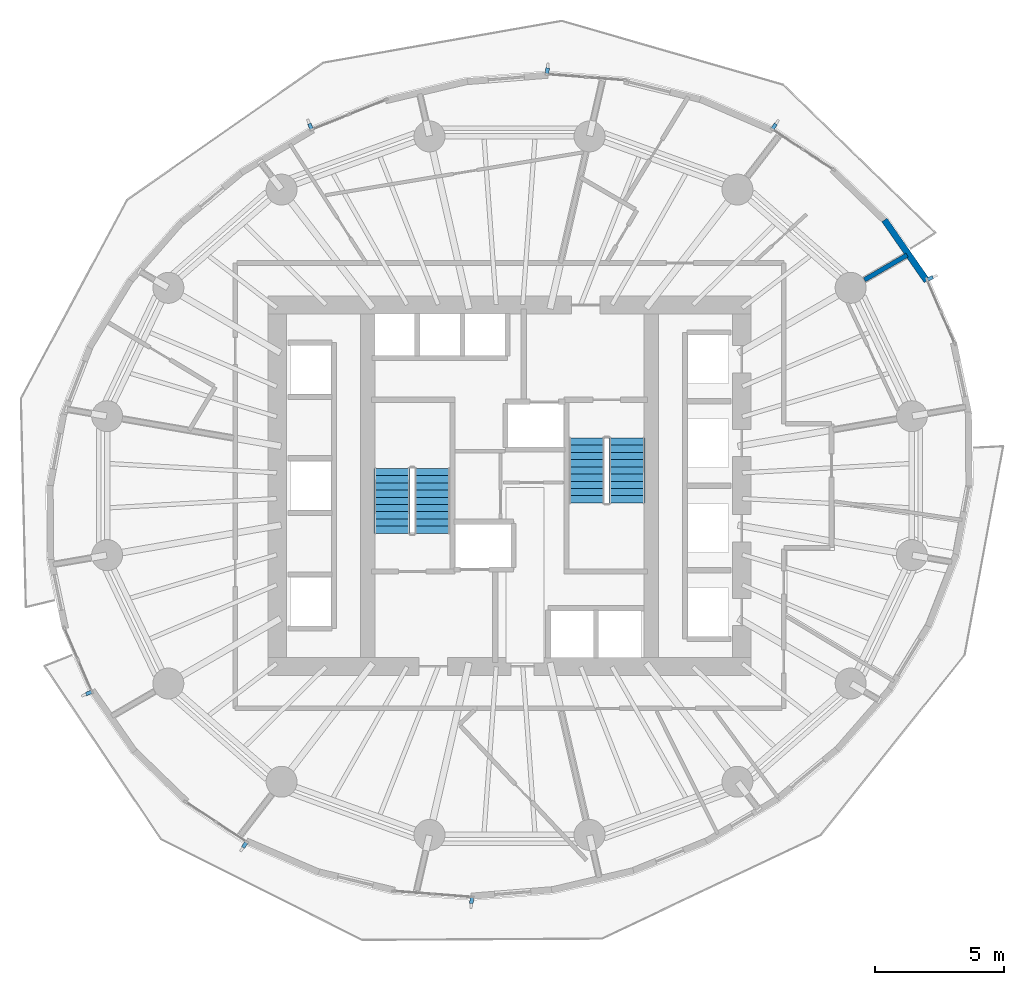
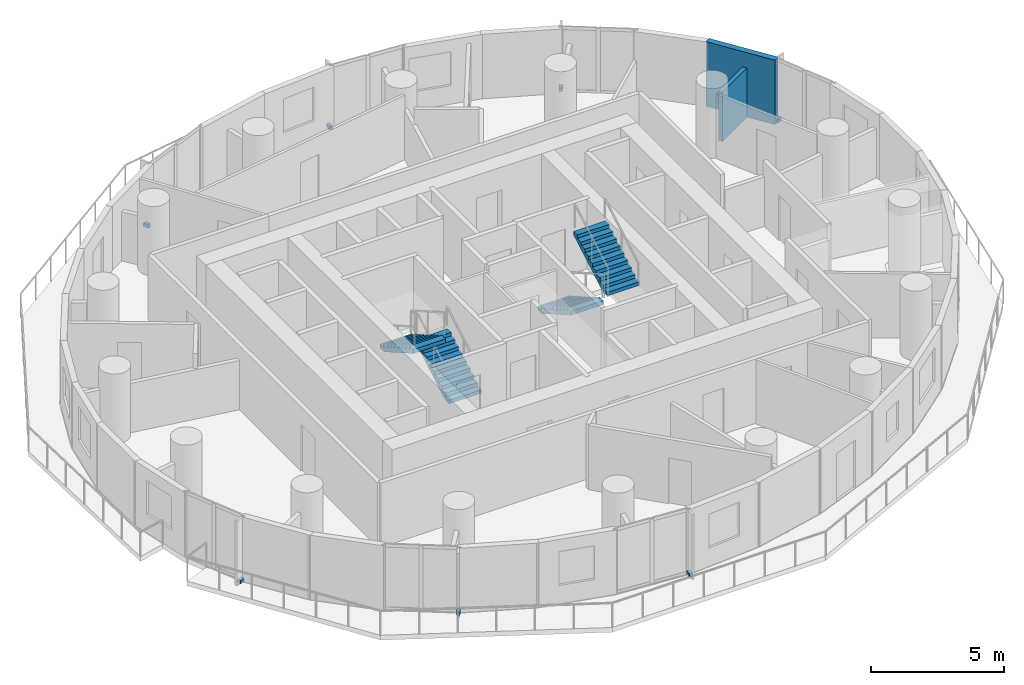
# One storey, part 10 of 14: 7 discrete accessories, 4 stair flights, 2 walls, 2 elements without a shape of their own.
"""IFC4 building model written with IfcOpenShell, lengths in metres."""

from ifc_helpers import new_model, si_unit, direction, frame, frame_2d, origin, origin_2d, place, context, subcontext, project, spatial, polyline, rectangle, outline, extrude, material, layer, layer_set, type_object, element, aggregate, save


model = new_model("IFC4")

# Units and contexts
model_context = context("Model", 3, precision=1e-05, world=origin(), true_north=direction((0.0, 1.0)))
body_context = subcontext(model_context, "Body", "Model", "MODEL_VIEW")
ifc_project = project(units=[si_unit("LENGTHUNIT", "METRE"), si_unit("AREAUNIT", "SQUARE_METRE"), si_unit("VOLUMEUNIT", "CUBIC_METRE"), si_unit("PLANEANGLEUNIT", "RADIAN"), si_unit("MASSUNIT", "GRAM", prefix="KILO")], contexts=[model_context])

# Site, building, storey
site_placement = place(None, origin())
site = spatial("IfcSite", under=ifc_project, at=site_placement, CompositionType="ELEMENT")
building_placement = place(site_placement, origin())
building = spatial("IfcBuilding", under=site, at=building_placement, Name="Veldorim Arch Residences", CompositionType="ELEMENT")
storey_placement = place(building_placement, frame((0.0, 0.0, 77.280029296875)))
storey = spatial("IfcBuildingStorey", under=building, at=storey_placement, Name="L22", CompositionType="ELEMENT", Elevation=77.280029296875)

# Walls
ifc_material_1 = material(Name="Lightweight Masonry Block & Gypsum", Category="masonry")
ifc_layer_1 = layer(ifc_material_1, 0.179931640625, Name="Compartment & Corridor Fire-Rated Party Wall 180")
ifc_layer_set_1 = layer_set([ifc_layer_1], Name="Lightweight Masonry Block & Gypsum")
wall_type_1 = type_object("IfcWallType", Name="Compartment & Corridor Fire-Rated Party Wall 180", PredefinedType="PARTITIONING", material=ifc_layer_set_1)
wall_1_placement = place(storey_placement, frame((45.756591796875, 31.977783203125, 0.0), z_axis=(0.0, 0.0, 1.0), x_axis=(0.86503562166, 0.501710447628, 0.0)))
element("IfcWall", 1, at=wall_1_placement, inside=storey, type_object=wall_type_1, Name="L22 interior wall WL-PIER-L22-02", PredefinedType="PARTITIONING", context=body_context, shape_type="SweptSolid", body=[
    extrude(rectangle(XDim=1.912353515625, YDim=0.179931640625, at=frame_2d((0.9560546875, 0.0))), origin(), (0.0, 0.0, 1.0), 2.26025390625),
])
ifc_material_2 = material(Name="Precast concrete C40/50", Category="concrete")
ifc_layer_2 = layer(ifc_material_2, 0.25, Name="Tower Terracotta Spandrel & Pier Wall 250")
ifc_layer_set_2 = layer_set([ifc_layer_2], Name="Precast concrete C40/50")
wall_type_2 = type_object("IfcWallType", Name="Tower Terracotta Spandrel & Pier Wall 250", PredefinedType="SOLIDWALL", material=ifc_layer_set_2)
wall_2_placement = place(storey_placement, frame((46.532470703125, 34.298095703125, 0.0), z_axis=(0.0, 0.0, 1.0), x_axis=(0.570574087236, -0.821246133005, 0.0)))
element("IfcWall", 2, at=wall_2_placement, inside=storey, type_object=wall_type_2, Name="L22 terracotta facade wall 02", PredefinedType="SOLIDWALL", context=body_context, shape_type="SweptSolid", body=[
    extrude(rectangle(XDim=2.8740234375, YDim=0.25, at=frame_2d((1.43701171875, 0.0))), origin(), (0.0, 0.0, 1.0), 2.9599609375),
])

# Stair, stair flights
ifc_material_3 = material(Name="Concrete C40/50", Category="concrete")
stair_type = type_object("IfcStairType", Name="Reinforced Concrete Dogleg Exit Staircase", PredefinedType="HALF_TURN_STAIR", material=ifc_material_3)
stair_1_placement = place(storey_placement, origin())
stair_1 = element("IfcStair", 3, at=stair_1_placement, inside=storey, type_object=stair_type, Name="L22 Exit Staircase ST-1", PredefinedType="HALF_TURN_STAIR")
ifc_material_4 = material(Name="Concrete C40/50", Category="concrete")
stair_flight_type = type_object("IfcStairFlightType", Name="Reinforced Concrete Stair Flight 1400", PredefinedType="STRAIGHT", material=ifc_material_4)
stair_flight_1_placement = place(storey_placement, frame((29.010009765625, 22.14990234375, 0.0), z_axis=(0.0, 0.0, 1.0), x_axis=(0.0, 1.0, 0.0)))
stair_flight_1 = element("IfcStairFlight", 4, at=stair_flight_1_placement, type_object=stair_flight_type, Name="ST-1 flight 1", NumberOfRisers=10, NumberOfTreads=9, PredefinedType="STRAIGHT", RiserHeight=0.16, TreadLength=0.28, context=body_context, shape_type="SweptSolid", body=[
    extrude(outline(polyline([(0.0, 0.0), (0.0, 0.159912109375), (0.280029296875, 0.159912109375), (0.280029296875, 0.320068359375), (0.56005859375, 0.320068359375), (0.56005859375, 0.47998046875), (0.840087890625, 0.47998046875), (0.840087890625, 0.639892578125), (1.1201171875, 0.639892578125), (1.1201171875, 0.800048828125), (1.39990234375, 0.800048828125), (1.39990234375, 0.9599609375), (1.679931640625, 0.9599609375), (1.679931640625, 1.1201171875), (1.9599609375, 1.1201171875), (1.9599609375, 1.280029296875), (2.239990234375, 1.280029296875), (2.239990234375, 1.43994140625), (2.52001953125, 1.43994140625), (2.52001953125, 1.60009765625), (2.52001953125, 1.255859375), (0.322265625, 0.0), (0.0, 0.0)])), frame((0.0, 0.699951171875, 0.0), z_axis=(0.0, -1.0, 0.0), x_axis=(1.0, 0.0, 0.0)), (0.0, 0.0, 1.0), 1.39990234375),
])
stair_flight_2_placement = place(storey_placement, frame((27.449951171875, 24.669921875, 1.599853515625), z_axis=(0.0, 0.0, 1.0), x_axis=(0.0, -1.0, 0.0)))
stair_flight_2 = element("IfcStairFlight", 5, at=stair_flight_2_placement, type_object=stair_flight_type, Name="ST-1 flight 2", NumberOfRisers=10, NumberOfTreads=9, PredefinedType="STRAIGHT", RiserHeight=0.16, TreadLength=0.28, context=body_context, shape_type="SweptSolid", body=[
    extrude(outline(polyline([(0.0, 0.0), (0.0, 0.159912109375), (0.280029296875, 0.159912109375), (0.280029296875, 0.320068359375), (0.56005859375, 0.320068359375), (0.56005859375, 0.47998046875), (0.840087890625, 0.47998046875), (0.840087890625, 0.639892578125), (1.1201171875, 0.639892578125), (1.1201171875, 0.800048828125), (1.39990234375, 0.800048828125), (1.39990234375, 0.9599609375), (1.679931640625, 0.9599609375), (1.679931640625, 1.1201171875), (1.9599609375, 1.1201171875), (1.9599609375, 1.280029296875), (2.239990234375, 1.280029296875), (2.239990234375, 1.43994140625), (2.52001953125, 1.43994140625), (2.52001953125, 1.60009765625), (2.52001953125, 1.255859375), (0.322265625, 0.0), (0.0, 0.0)])), frame((0.0, 0.699951171875, 0.0), z_axis=(0.0, -1.0, 0.0), x_axis=(1.0, 0.0, 0.0)), (0.0, 0.0, 1.0), 1.39990234375),
])
aggregate(stair_1, [stair_flight_1, stair_flight_2])

stair_2_placement = place(storey_placement, origin())
stair_2 = element("IfcStair", 6, at=stair_2_placement, inside=storey, type_object=stair_type, Name="L22 Exit Staircase ST-2", PredefinedType="HALF_TURN_STAIR")
stair_flight_3_placement = place(storey_placement, frame((34.989990234375, 25.85009765625, 0.0), z_axis=(0.0, 0.0, 1.0), x_axis=(0.0, -1.0, 0.0)))
stair_flight_3 = element("IfcStairFlight", 7, at=stair_flight_3_placement, type_object=stair_flight_type, Name="ST-2 flight 1", NumberOfRisers=10, NumberOfTreads=9, PredefinedType="STRAIGHT", RiserHeight=0.16, TreadLength=0.28, context=body_context, shape_type="SweptSolid", body=[
    extrude(outline(polyline([(0.0, 0.0), (0.0, 0.159912109375), (0.280029296875, 0.159912109375), (0.280029296875, 0.320068359375), (0.56005859375, 0.320068359375), (0.56005859375, 0.47998046875), (0.840087890625, 0.47998046875), (0.840087890625, 0.639892578125), (1.1201171875, 0.639892578125), (1.1201171875, 0.800048828125), (1.39990234375, 0.800048828125), (1.39990234375, 0.9599609375), (1.679931640625, 0.9599609375), (1.679931640625, 1.1201171875), (1.9599609375, 1.1201171875), (1.9599609375, 1.280029296875), (2.239990234375, 1.280029296875), (2.239990234375, 1.43994140625), (2.52001953125, 1.43994140625), (2.52001953125, 1.60009765625), (2.52001953125, 1.255859375), (0.322265625, 0.0), (0.0, 0.0)])), frame((0.0, 0.699951171875, 0.0), z_axis=(0.0, -1.0, 0.0), x_axis=(1.0, 0.0, 0.0)), (0.0, 0.0, 1.0), 1.39990234375),
])
stair_flight_4_placement = place(storey_placement, frame((36.550048828125, 23.330078125, 1.599853515625), z_axis=(0.0, 0.0, 1.0), x_axis=(0.0, 1.0, 0.0)))
stair_flight_4 = element("IfcStairFlight", 8, at=stair_flight_4_placement, type_object=stair_flight_type, Name="ST-2 flight 2", NumberOfRisers=10, NumberOfTreads=9, PredefinedType="STRAIGHT", RiserHeight=0.16, TreadLength=0.28, context=body_context, shape_type="SweptSolid", body=[
    extrude(outline(polyline([(0.0, 0.0), (0.0, 0.159912109375), (0.280029296875, 0.159912109375), (0.280029296875, 0.320068359375), (0.56005859375, 0.320068359375), (0.56005859375, 0.47998046875), (0.840087890625, 0.47998046875), (0.840087890625, 0.639892578125), (1.1201171875, 0.639892578125), (1.1201171875, 0.800048828125), (1.39990234375, 0.800048828125), (1.39990234375, 0.9599609375), (1.679931640625, 0.9599609375), (1.679931640625, 1.1201171875), (1.9599609375, 1.1201171875), (1.9599609375, 1.280029296875), (2.239990234375, 1.280029296875), (2.239990234375, 1.43994140625), (2.52001953125, 1.43994140625), (2.52001953125, 1.60009765625), (2.52001953125, 1.255859375), (0.322265625, 0.0), (0.0, 0.0)])), frame((0.0, 0.699951171875, 0.0), z_axis=(0.0, -1.0, 0.0), x_axis=(1.0, 0.0, 0.0)), (0.0, 0.0, 1.0), 1.39990234375),
])
aggregate(stair_2, [stair_flight_3, stair_flight_4])

# Discrete accessories
ifc_material_5 = material(Name="Stainless Steel", Category="steel")
discrete_accessory_type = type_object("IfcDiscreteAccessoryType", Name="Stainless Steel Facade Fin Anchor Bracket", PredefinedType="BRACKET", material=ifc_material_5)
for number, where, z_axis, x_axis, name in (
    (9, (48.30126953125, 32.033203125, -0.02001953125), (0.0, 0.0, 1.0), (0.396987706187, -0.917823927089, 0.0), "L22 stainless fin anchor bracket 01"),
    (10, (42.259521484375, 37.9208984375, -0.02001953125), (0.0, 0.0, 1.0), (0.834174701276, -0.551500288078, 0.0), "L22 stainless fin anchor bracket 04"),
    (11, (33.468505859375, 40.0751953125, -0.02001953125), (0.0, 0.0, 1.0), (0.997052752227, -0.076719028127, 0.0), "L22 stainless fin anchor bracket 07"),
    (12, (24.287109375, 37.922119140625, -0.02001953125), (0.0, 0.0, 1.0), (0.927314560446, 0.374282922379, 0.0), "L22 stainless fin anchor bracket 10"),
    (13, (15.69873046875, 15.966796875, -0.02001953125), (0.0, 0.0, 1.0), (-0.396987706187, 0.917823927089, 0.0), "L22 stainless fin anchor bracket 19"),
    (14, (21.740478515625, 10.0791015625, -0.02001953125), (0.0, 0.0, 1.0), (-0.834174701276, 0.551500288078, 0.0), "L22 stainless fin anchor bracket 22"),
    (15, (30.531494140625, 7.9248046875, -0.02001953125), (0.0, 0.0, 1.0), (-0.997052752227, 0.076719028127, 0.0), "L22 stainless fin anchor bracket 25"),
):
    element("IfcDiscreteAccessory", number, at=place(storey_placement, frame(where, z_axis=z_axis, x_axis=x_axis)), inside=storey, type_object=discrete_accessory_type, Name=name, PredefinedType="BRACKET", context=body_context, shape_type="SweptSolid", body=[
        extrude(rectangle(XDim=0.139892578125, YDim=0.239990234375, at=origin_2d()), origin(), (0.0, 0.0, 1.0), 0.159912109375),
    ])

save(model, "model.ifc")
